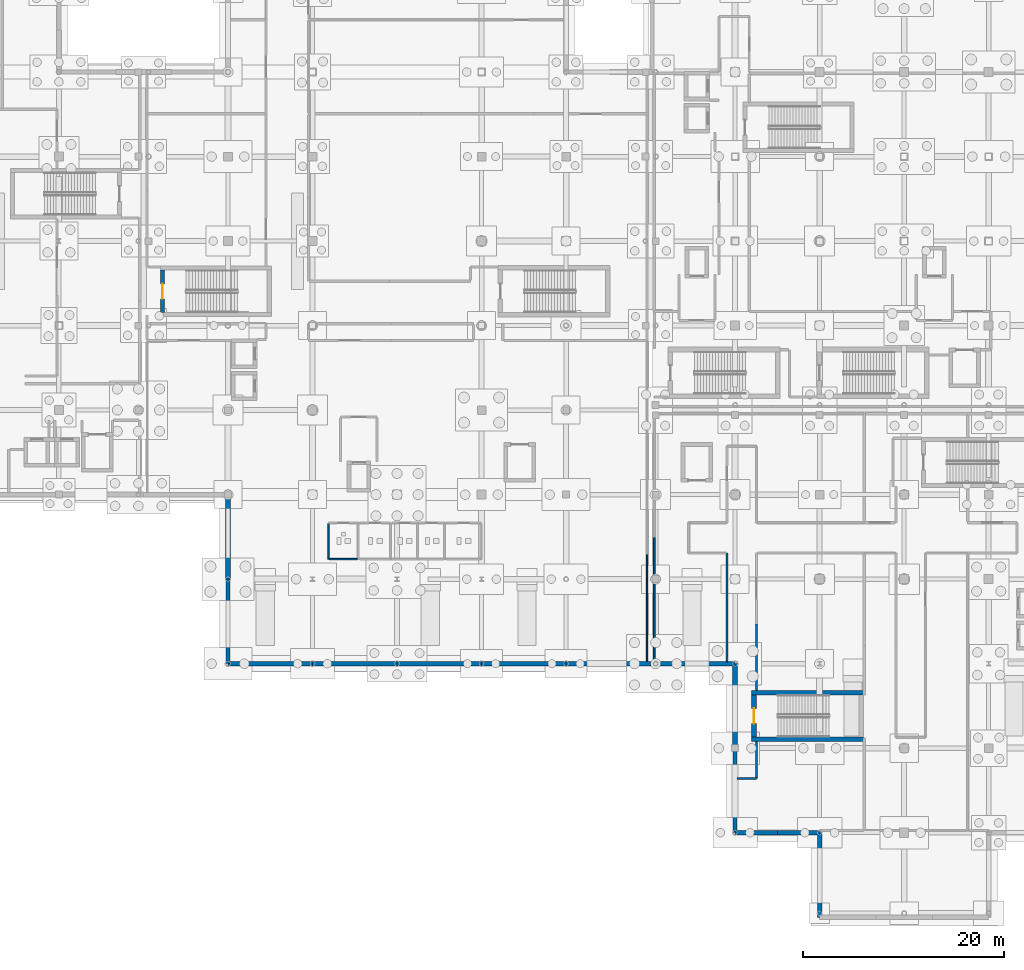
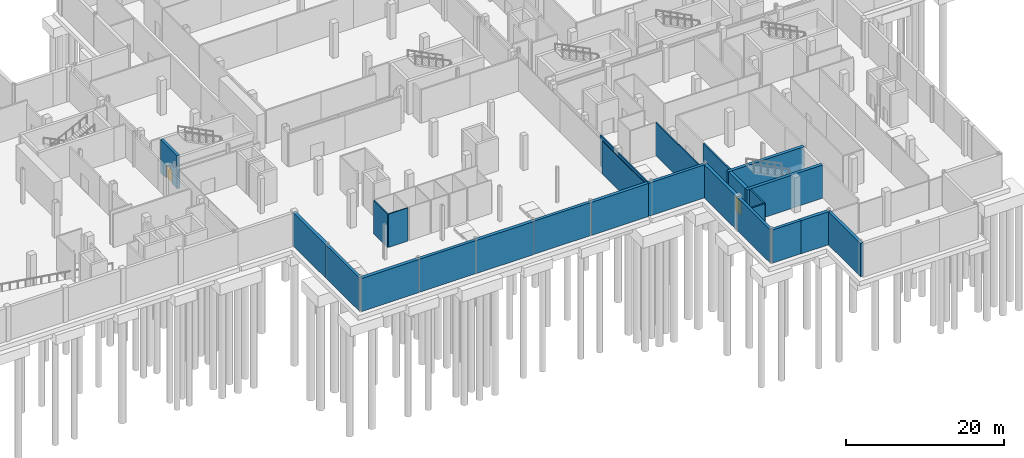
# One storey, part 27 of 49: 25 walls, 2 doors, 2 openings.
"""IFC4 building model written with IfcOpenShell, lengths in metres."""

from ifc_helpers import new_model, si_unit, direction, frame, frame_2d, origin, place, context, subcontext, project, spatial, rectangle, extrude, material, layer, layer_set, type_object, element, fill, save


model = new_model("IFC4")

# Units and contexts
model_context = context("Model", 3, precision=1e-05, world=origin(), true_north=direction((0.0, 1.0)))
body_context = subcontext(model_context, "Body", "Model", "MODEL_VIEW")
ifc_project = project(units=[si_unit("LENGTHUNIT", "METRE"), si_unit("AREAUNIT", "SQUARE_METRE"), si_unit("VOLUMEUNIT", "CUBIC_METRE"), si_unit("PLANEANGLEUNIT", "RADIAN"), si_unit("MASSUNIT", "GRAM", prefix="KILO"), si_unit("THERMODYNAMICTEMPERATUREUNIT", "KELVIN")], contexts=[model_context])

# Site, building, storey
site_placement = place(None, origin())
site = spatial("IfcSite", under=ifc_project, at=site_placement, CompositionType="ELEMENT")
building_placement = place(site_placement, origin())
building = spatial("IfcBuilding", under=site, at=building_placement, Name="Lustrewick Department Store", CompositionType="ELEMENT")
storey_placement = place(building_placement, frame((0.0, 0.0, -5.39990234375)))
storey = spatial("IfcBuildingStorey", under=building, at=storey_placement, Name="B1", CompositionType="ELEMENT", Elevation=-5.39990234375)

# Walls
ifc_material_1 = material(Name="Autoclaved aerated concrete blockwork and fire board", Category="masonry")
ifc_layer_1 = layer(ifc_material_1, 0.219970703125, Name="Autoclaved aerated concrete blockwork and fire board")
ifc_layer_set_1 = layer_set([ifc_layer_1], Name="Autoclaved aerated concrete blockwork and fire board")
wall_type_1 = type_object("IfcWallType", Name="PW01", PredefinedType="PARTITIONING", material=ifc_layer_set_1)
wall_1_placement = place(storey_placement, frame((119.7099609375, 29.14990234375, 0.0), z_axis=(0.0, 0.0, 1.0), x_axis=(0.0, -1.0, 0.0)))
element("IfcWall", 1, at=wall_1_placement, inside=storey, type_object=wall_type_1, Name="B1 V3 Reserve Stockroom 1 PW01", PredefinedType="PARTITIONING", context=body_context, shape_type="SweptSolid", body=[
    extrude(rectangle(XDim=6.60498046875, YDim=0.219970703125, at=frame_2d((3.302490234375, 0.0))), origin(), (0.0, 0.0, 1.0), 5.14501953125),
])
wall_2_placement = place(storey_placement, frame((119.7099609375, 17.455078125, 0.0), z_axis=(0.0, 0.0, 1.0), x_axis=(0.0, -1.0, 0.0)))
element("IfcWall", 2, at=wall_2_placement, inside=storey, type_object=wall_type_1, Name="B1 V3 Reserve Stockroom 1 PW01", PredefinedType="PARTITIONING", context=body_context, shape_type="SweptSolid", body=[
    extrude(rectangle(XDim=3.655029296875, YDim=0.219970703125, at=frame_2d((1.82763671875, 0.0))), origin(), (0.0, 0.0, 1.0), 5.14501953125),
])
wall_3_placement = place(storey_placement, frame((119.699951171875, 13.7900390625, 0.0), z_axis=(0.0, 0.0, 1.0), x_axis=(-1.0, 0.0, 0.0)))
element("IfcWall", 3, at=wall_3_placement, inside=storey, type_object=wall_type_1, Name="B1 V3 Reserve Stockroom 1 PW01", PredefinedType="PARTITIONING", context=body_context, shape_type="SweptSolid", body=[
    extrude(rectangle(XDim=1.89501953125, YDim=0.219970703125, at=frame_2d((0.947509765625, 0.0))), origin(), (0.0, 0.0, 1.0), 5.14501953125),
])
ifc_material_2 = material(Name="Double-stud gypsum fire board with mineral wool", Category="gypsum")
ifc_layer_2 = layer(ifc_material_2, 0.1650390625, Name="Double-stud gypsum fire board with mineral wool")
ifc_layer_set_2 = layer_set([ifc_layer_2], Name="Double-stud gypsum fire board with mineral wool")
wall_type_2 = type_object("IfcWallType", Name="PW04", PredefinedType="PARTITIONING", material=ifc_layer_set_2)
wall_4_placement = place(storey_placement, frame((116.7900390625, 25.405029296875, 0.0), z_axis=(0.0, 0.0, 1.0), x_axis=(0.0, 1.0, 0.0)))
element("IfcWall", 4, at=wall_4_placement, inside=storey, type_object=wall_type_2, Name="B1 Chiller and Heat Exchange Plant PW04", PredefinedType="PARTITIONING", context=body_context, shape_type="SweptSolid", body=[
    extrude(rectangle(XDim=10.784912109375, YDim=0.1650390625, at=frame_2d((5.392578125, 0.0))), origin(), (0.0, 0.0, 1.0), 5.14501953125),
])
wall_5_placement = place(storey_placement, frame((109.56005859375, 37.72509765625, 0.0), z_axis=(0.0, 0.0, 1.0), x_axis=(0.0, -1.0, 0.0)))
element("IfcWall", 5, at=wall_5_placement, inside=storey, type_object=wall_type_2, Name="B1 Chiller and Heat Exchange Plant PW04", PredefinedType="PARTITIONING", context=body_context, shape_type="SweptSolid", body=[
    extrude(rectangle(XDim=12.320068359375, YDim=0.1650390625, at=frame_2d((6.16015625, 0.0))), origin(), (0.0, 0.0, 1.0), 4.77197265625),
])
ifc_material_3 = material(Name="Moisture-resistant cement board sanitary partition", Category="gypsum")
ifc_layer_3 = layer(ifc_material_3, 0.14990234375, Name="Moisture-resistant cement board sanitary partition")
ifc_layer_set_3 = layer_set([ifc_layer_3], Name="Moisture-resistant cement board sanitary partition")
wall_type_3 = type_object("IfcWallType", Name="PW05", PredefinedType="PARTITIONING", material=ifc_layer_set_3)
wall_6_placement = place(storey_placement, frame((77.199951171875, 39.1298828125, 0.0), z_axis=(0.0, 0.0, 1.0), x_axis=(0.0, -1.0, 0.0)))
element("IfcWall", 6, at=wall_6_placement, inside=storey, type_object=wall_type_3, Name="B1 Male Public WC PW05", PredefinedType="PARTITIONING", context=body_context, shape_type="SweptSolid", body=[
    extrude(rectangle(XDim=3.52978515625, YDim=0.14990234375, at=frame_2d((1.764892578125, 0.0))), origin(), (0.0, 0.0, 1.0), 5.14501953125),
])
wall_7_placement = place(storey_placement, frame((77.27001953125, 35.60009765625, 0.0), z_axis=(0.0, 0.0, 1.0), x_axis=(1.0, 0.0, 0.0)))
element("IfcWall", 7, at=wall_7_placement, inside=storey, type_object=wall_type_3, Name="B1 Male Public WC PW05", PredefinedType="PARTITIONING", context=body_context, shape_type="SweptSolid", body=[
    extrude(rectangle(XDim=2.800048828125, YDim=0.14990234375, at=frame_2d((1.39990234375, 0.0))), origin(), (0.0, 0.0, 1.0), 5.14501953125),
])
ifc_material_4 = material(Name="Lightweight demountable studio partition", Category="gypsum")
ifc_layer_4 = layer(ifc_material_4, 0.10498046875, Name="Lightweight demountable studio partition")
ifc_layer_set_4 = layer_set([ifc_layer_4], Name="Lightweight demountable studio partition")
wall_type_4 = type_object("IfcWallType", Name="PW08", PredefinedType="PARTITIONING", material=ifc_layer_set_4)
wall_8_placement = place(storey_placement, frame((108.840087890625, 25.43505859375, 0.0), z_axis=(0.0, 0.0, 1.0), x_axis=(0.0, 1.0, 0.0)))
element("IfcWall", 8, at=wall_8_placement, inside=storey, type_object=wall_type_4, Name="B1 All-Electric Gourmet Market PW08", PredefinedType="PARTITIONING", context=body_context, shape_type="SweptSolid", body=[
    extrude(rectangle(XDim=10.609619140625, YDim=0.10498046875, at=frame_2d((5.3046875, 0.0))), origin(), (0.0, 0.0, 1.0), 5.14501953125),
])
ifc_material_5 = material(Name="Concrete C40", Category="concrete")
ifc_layer_5 = layer(ifc_material_5, 0.419921875, Name="Concrete C40")
ifc_layer_set_5 = layer_set([ifc_layer_5], Name="Concrete C40")
wall_type_5 = type_object("IfcWallType", Name="RW01", PredefinedType="USERDEFINED", material=ifc_layer_set_5)
for number, where, z_axis, x_axis, name in (
    (9, (117.60009765625, 8.39990234375, 0.0), (0.0, 0.0, 1.0), (0.0, 1.0, 0.0), "B1 Retaining Wall RW01 0001"),
    (10, (117.60009765625, 25.199951171875, 0.0), (0.0, 0.0, 1.0), (-1.0, 0.0, 0.0), "B1 Retaining Wall RW01 0003"),
    (11, (100.800048828125, 25.199951171875, 0.0), (0.0, 0.0, 1.0), (-1.0, 0.0, 0.0), "B1 Retaining Wall RW01 0005"),
):
    element("IfcWall", number, at=place(storey_placement, frame(where, z_axis=z_axis, x_axis=x_axis)), inside=storey, type_object=wall_type_5, Name=name, ObjectType="RETAININGWALL", PredefinedType="USERDEFINED", context=body_context, shape_type="SweptSolid", body=[
        extrude(rectangle(XDim=8.400146484375, YDim=0.419921875, at=frame_2d((4.2001953125, 0.0))), origin(), (0.0, 0.0, 1.0), 5.1298828125),
    ])
wall_9_placement = place(storey_placement, frame((84.0, 25.199951171875, 0.0), z_axis=(0.0, 0.0, 1.0), x_axis=(-1.0, 0.0, 0.0)))
element("IfcWall", 12, at=wall_9_placement, inside=storey, type_object=wall_type_5, Name="B1 Retaining Wall RW01 0007", ObjectType="RETAININGWALL", PredefinedType="USERDEFINED", context=body_context, shape_type="SweptSolid", body=[
    extrude(rectangle(XDim=8.39990234375, YDim=0.419921875, at=frame_2d((4.199951171875, 0.0))), origin(), (0.0, 0.0, 1.0), 5.1298828125),
])
wall_10_placement = place(storey_placement, frame((67.199951171875, 25.199951171875, 0.0), z_axis=(0.0, 0.0, 1.0), x_axis=(0.0, 1.0, 0.0)))
element("IfcWall", 13, at=wall_10_placement, inside=storey, type_object=wall_type_5, Name="B1 Retaining Wall RW01 0009", ObjectType="RETAININGWALL", PredefinedType="USERDEFINED", context=body_context, shape_type="SweptSolid", body=[
    extrude(rectangle(XDim=8.400146484375, YDim=0.419921875, at=frame_2d((4.2001953125, 0.0))), origin(), (0.0, 0.0, 1.0), 5.1298828125),
])
wall_11_placement = place(storey_placement, frame((126.0, 0.0, 0.0), z_axis=(0.0, 0.0, 1.0), x_axis=(0.0, 1.0, 0.0)))
element("IfcWall", 14, at=wall_11_placement, inside=storey, type_object=wall_type_5, Name="B1 Retaining Wall RW01 0123", ObjectType="RETAININGWALL", PredefinedType="USERDEFINED", context=body_context, shape_type="SweptSolid", body=[
    extrude(rectangle(XDim=8.39990234375, YDim=0.419921875, at=frame_2d((4.199951171875, 0.0))), origin(), (0.0, 0.0, 1.0), 5.1298828125),
])
wall_12_placement = place(storey_placement, frame((121.800048828125, 8.39990234375, 0.0), z_axis=(0.0, 0.0, 1.0), x_axis=(-1.0, 0.0, 0.0)))
element("IfcWall", 15, at=wall_12_placement, inside=storey, type_object=wall_type_5, Name="B1 Retaining Wall RW01 0125", ObjectType="RETAININGWALL", PredefinedType="USERDEFINED", context=body_context, shape_type="SweptSolid", body=[
    extrude(rectangle(XDim=4.199951171875, YDim=0.419921875, at=frame_2d((2.10009765625, 0.0))), origin(), (0.0, 0.0, 1.0), 5.1298828125),
])
ifc_layer_6 = layer(ifc_material_5, 0.47998046875, Name="Concrete C40")
ifc_layer_set_6 = layer_set([ifc_layer_6], Name="Concrete C40")
wall_type_6 = type_object("IfcWallType", Name="RW02", PredefinedType="USERDEFINED", material=ifc_layer_set_6)
for number, where, z_axis, x_axis, name in (
    (16, (117.60009765625, 16.800048828125, 0.0), (0.0, 0.0, 1.0), (0.0, 1.0, 0.0), "B1 Retaining Wall RW02 0002"),
    (17, (109.199951171875, 25.199951171875, 0.0), (0.0, 0.0, 1.0), (-1.0, 0.0, 0.0), "B1 Retaining Wall RW02 0004"),
    (18, (92.39990234375, 25.199951171875, 0.0), (0.0, 0.0, 1.0), (-1.0, 0.0, 0.0), "B1 Retaining Wall RW02 0006"),
):
    element("IfcWall", number, at=place(storey_placement, frame(where, z_axis=z_axis, x_axis=x_axis)), inside=storey, type_object=wall_type_6, Name=name, ObjectType="RETAININGWALL", PredefinedType="USERDEFINED", context=body_context, shape_type="SweptSolid", body=[
        extrude(rectangle(XDim=8.39990234375, YDim=0.47998046875, at=frame_2d((4.199951171875, 0.0))), origin(), (0.0, 0.0, 1.0), 5.1298828125),
    ])
wall_13_placement = place(storey_placement, frame((75.60009765625, 25.199951171875, 0.0), z_axis=(0.0, 0.0, 1.0), x_axis=(-1.0, 0.0, 0.0)))
element("IfcWall", 19, at=wall_13_placement, inside=storey, type_object=wall_type_6, Name="B1 Retaining Wall RW02 0008", ObjectType="RETAININGWALL", PredefinedType="USERDEFINED", context=body_context, shape_type="SweptSolid", body=[
    extrude(rectangle(XDim=8.400146484375, YDim=0.47998046875, at=frame_2d((4.2001953125, 0.0))), origin(), (0.0, 0.0, 1.0), 5.1298828125),
])
wall_14_placement = place(storey_placement, frame((67.199951171875, 33.60009765625, 0.0), z_axis=(0.0, 0.0, 1.0), x_axis=(0.0, 1.0, 0.0)))
element("IfcWall", 20, at=wall_14_placement, inside=storey, type_object=wall_type_6, Name="B1 Retaining Wall RW02 0010", ObjectType="RETAININGWALL", PredefinedType="USERDEFINED", context=body_context, shape_type="SweptSolid", body=[
    extrude(rectangle(XDim=8.39990234375, YDim=0.47998046875, at=frame_2d((4.199951171875, 0.0))), origin(), (0.0, 0.0, 1.0), 5.1298828125),
])
wall_15_placement = place(storey_placement, frame((126.0, 8.39990234375, 0.0), z_axis=(0.0, 0.0, 1.0), x_axis=(-1.0, 0.0, 0.0)))
element("IfcWall", 21, at=wall_15_placement, inside=storey, type_object=wall_type_6, Name="B1 Retaining Wall RW02 0124", ObjectType="RETAININGWALL", PredefinedType="USERDEFINED", context=body_context, shape_type="SweptSolid", body=[
    extrude(rectangle(XDim=4.199951171875, YDim=0.47998046875, at=frame_2d((2.10009765625, 0.0))), origin(), (0.0, 0.0, 1.0), 5.1298828125),
])
ifc_material_6 = material(Name="Concrete C50", Category="concrete")
ifc_layer_7 = layer(ifc_material_6, 0.449951171875, Name="Concrete C50")
ifc_layer_set_7 = layer_set([ifc_layer_7], Name="Concrete C50")
wall_type_7 = type_object("IfcWallType", Name="SW01", PredefinedType="SHEAR", material=ifc_layer_set_7)
for number, where, z_axis, x_axis, name in (
    (22, (119.25, 17.675048828125, 0.0), (0.0, 0.0, 1.0), (1.0, 0.0, 0.0), "B1 Stair Core ST07 Shear Wall S"),
    (23, (130.35009765625, 22.324951171875, 0.0), (0.0, 0.0, 1.0), (-1.0, 0.0, 0.0), "B1 Stair Core ST07 Shear Wall N"),
):
    element("IfcWall", number, at=place(storey_placement, frame(where, z_axis=z_axis, x_axis=x_axis)), inside=storey, type_object=wall_type_7, Name=name, PredefinedType="SHEAR", context=body_context, shape_type="SweptSolid", body=[
        extrude(rectangle(XDim=11.10009765625, YDim=0.449951171875, at=frame_2d((5.550048828125, 0.0))), origin(), (0.0, 0.0, 1.0), 5.14501953125),
    ])

# Wall, opening, door
wall_16_placement = place(storey_placement, frame((119.47509765625, 22.10009765625, 0.0), z_axis=(0.0, 0.0, 1.0), x_axis=(0.0, -1.0, 0.0)))
wall_16 = element("IfcWall", 24, at=wall_16_placement, inside=storey, type_object=wall_type_7, Name="B1 Stair Core ST07 Shear Wall W", PredefinedType="SHEAR", context=body_context, shape_type="SweptSolid", body=[
    extrude(rectangle(XDim=4.2001953125, YDim=0.449951171875, at=frame_2d((2.10009765625, 0.0))), origin(), (0.0, 0.0, 1.0), 5.14501953125),
])
opening_1_placement = place(wall_16_placement, frame((1.35009765625, 0.0, 0.0)))
opening_1 = element("IfcOpeningElement", 25, at=opening_1_placement, cuts=wall_16, Name="Opening D-B1-007", PredefinedType="OPENING", context=body_context, shape_type="SweptSolid", body=[
    extrude(rectangle(XDim=1.5, YDim=2.14990234375, at=frame_2d((0.75, 1.074951171875))), frame((0.0, 0.23486328125, 0.0), z_axis=(0.0, -1.0, 0.0), x_axis=(1.0, 0.0, 0.0)), (0.0, 0.0, 1.0), 0.469970703125),
])
ifc_material_7 = material(Name="Steel fire door Class B EI 60", Category="steel")
door_type = type_object("IfcDoorType", Name="DT-07", OperationType="NOTDEFINED", PredefinedType="DOOR", material=ifc_material_7)
door_1_placement = place(opening_1_placement, origin())
door_1 = element("IfcDoor", 26, at=door_1_placement, inside=storey, type_object=door_type, Name="B1 Smoke-Proof Stair ST07 Fire Door", OperationType="SINGLE_SWING_RIGHT", OverallHeight=2.14990234375, OverallWidth=1.5, PredefinedType="DOOR", context=body_context, shape_type="SweptSolid", body=[
    extrude(rectangle(XDim=1.5, YDim=2.14990234375, at=frame_2d((0.75, 1.074951171875))), frame((0.0, 0.02490234375, 0.0), z_axis=(0.0, -1.0, 0.0), x_axis=(1.0, 0.0, 0.0)), (0.0, 0.0, 1.0), 0.050048828125),
])
fill(opening_1, door_1)

ifc_layer_8 = layer(ifc_material_6, 0.39990234375, Name="Concrete C50")
ifc_layer_set_8 = layer_set([ifc_layer_8], Name="Concrete C50")
wall_type_8 = type_object("IfcWallType", Name="SW02", PredefinedType="SHEAR", material=ifc_layer_set_8)
wall_17_placement = place(storey_placement, frame((60.699951171875, 64.300048828125, 0.0), z_axis=(0.0, 0.0, 1.0), x_axis=(0.0, -1.0, 0.0)))
wall_17 = element("IfcWall", 27, at=wall_17_placement, inside=storey, type_object=wall_type_8, Name="B1 Stair Core ST04 Shear Wall W", PredefinedType="SHEAR", context=body_context, shape_type="SweptSolid", body=[
    extrude(rectangle(XDim=4.199951171875, YDim=0.39990234375, at=frame_2d((2.10009765625, 0.0))), origin(), (0.0, 0.0, 1.0), 5.14501953125),
])
opening_2_placement = place(wall_17_placement, frame((1.35009765625, 0.0, 0.0)))
opening_2 = element("IfcOpeningElement", 28, at=opening_2_placement, cuts=wall_17, Name="Opening D-B1-004", PredefinedType="OPENING", context=body_context, shape_type="SweptSolid", body=[
    extrude(rectangle(XDim=1.5, YDim=2.14990234375, at=frame_2d((0.75, 1.074951171875))), frame((0.0, 0.2099609375, 0.0), z_axis=(0.0, -1.0, 0.0), x_axis=(1.0, 0.0, 0.0)), (0.0, 0.0, 1.0), 0.419921875),
])
door_2_placement = place(opening_2_placement, origin())
door_2 = element("IfcDoor", 29, at=door_2_placement, inside=storey, type_object=door_type, Name="B1 Smoke-Proof Stair ST04 Fire Door", OperationType="SINGLE_SWING_LEFT", OverallHeight=2.14990234375, OverallWidth=1.5, PredefinedType="DOOR", context=body_context, shape_type="SweptSolid", body=[
    extrude(rectangle(XDim=1.5, YDim=2.14990234375, at=frame_2d((0.75, 1.074951171875))), frame((0.0, 0.02490234375, 0.0), z_axis=(0.0, -1.0, 0.0), x_axis=(1.0, 0.0, 0.0)), (0.0, 0.0, 1.0), 0.050048828125),
])
fill(opening_2, door_2)

save(model, "model.ifc")
